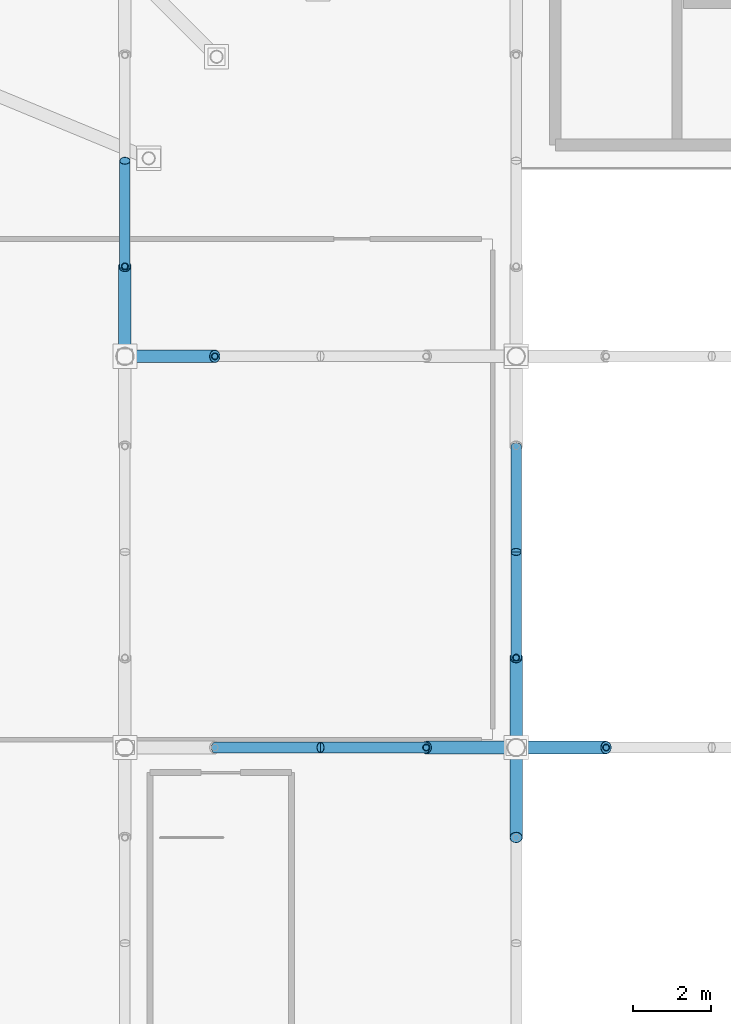
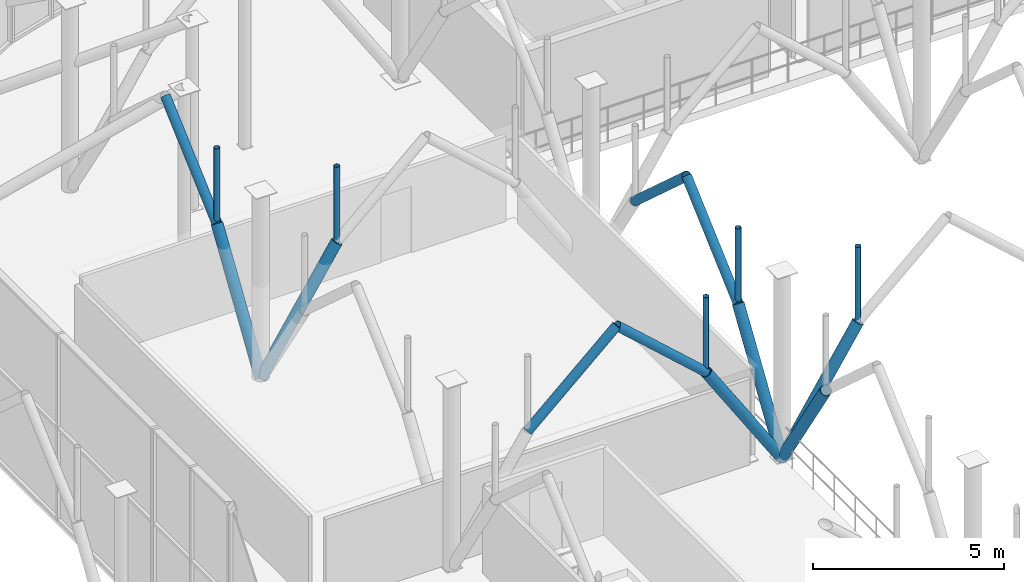
# One storey, part 46 of 109: 16 members.
"""IFC4 building model written with IfcOpenShell, lengths in metres."""

from ifc_helpers import new_model, si_unit, derived_unit, direction, frame, origin, origin_2d_with_axis, place, context, subcontext, project, spatial, hollow_circle, extrude, material, material_profile, profile_set, type_object, element, save


model = new_model("IFC4")

# Units and contexts
model_context = context("Model", 3, precision=1e-05, world=origin(), true_north=direction((0.0, 1.0)))
body_context = subcontext(model_context, "Body", "Model", "MODEL_VIEW")
ifc_project = project(units=[si_unit("LENGTHUNIT", "METRE"), si_unit("AREAUNIT", "SQUARE_METRE"), si_unit("VOLUMEUNIT", "CUBIC_METRE"), si_unit("PLANEANGLEUNIT", "RADIAN"), si_unit("MASSUNIT", "GRAM", prefix="KILO"), derived_unit("THERMALTRANSMITTANCEUNIT", [(si_unit("POWERUNIT", "WATT"), 1), (si_unit("LENGTHUNIT", "METRE"), -2), (si_unit("THERMODYNAMICTEMPERATUREUNIT", "KELVIN"), -1)])], contexts=[model_context])

# Site, building, storey
site_placement = place(None, origin())
site = spatial("IfcSite", under=ifc_project, at=site_placement, CompositionType="ELEMENT")
building_placement = place(site_placement, origin())
building = spatial("IfcBuilding", under=site, at=building_placement, Name="Cinnabar Yard Market Hall", CompositionType="ELEMENT")
storey_placement = place(building_placement, frame((0.0, 0.0, 8.39990234375)))
storey = spatial("IfcBuildingStorey", under=building, at=storey_placement, Name="L02", CompositionType="ELEMENT", Elevation=8.39990234375)

# Members
ifc_material_1 = material(Name="Spotted-gum glulam-clad steel Grade 350 (350 MPa)", Category="steel")
ifc_material_profile_1 = material_profile(ifc_material_1, hollow_circle(Radius=0.136474609375, WallThickness=0.00927734375, at=origin_2d_with_axis()), Name="273.1x9.3CHS")
ifc_profile_set_1 = profile_set([ifc_material_profile_1], Name="Spotted-gum glulam-clad steel Grade 350 (350 MPa)")
member_type_1 = type_object("IfcMemberType", Name="MB-AR01", PredefinedType="USERDEFINED", material=ifc_profile_set_1)
for number, where, z_axis, x_axis, name in (
    (1, (78.300048828125, 44.0, 3.550048828125), (0.743297488271, 0.0, 0.668961018244), (0.0, 1.0, 0.0), "Pointed Arch Rib 0006"),
    (2, (76.0, 56.300048828125, 3.550048828125), (0.0, 0.743297488271, 0.668961018244), (-1.0, 0.0, 0.0), "Pointed Arch Rib 0010"),
    (3, (83.699951171875, 44.0, 3.550048828125), (-0.743297488271, 0.0, 0.668961018244), (0.0, -1.0, 0.0), "Pointed Arch Rib 0021"),
    (4, (86.0, 46.300048828125, 3.550048828125), (0.0, 0.743297488271, 0.668961018244), (-1.0, 0.0, 0.0), "Pointed Arch Rib 0022"),
    (5, (86.0, 51.699951171875, 3.550048828125), (0.0, -0.743297488271, 0.668961018244), (1.0, 0.0, 0.0), "Pointed Arch Rib 0027"),
):
    element("IfcMember", number, at=place(storey_placement, frame(where, z_axis=z_axis, x_axis=x_axis)), inside=storey, type_object=member_type_1, Name=name, ObjectType="ARCH RIB", PredefinedType="USERDEFINED", context=body_context, shape_type="SweptSolid", body=[
        extrude(hollow_circle(Radius=0.136474609375, WallThickness=0.00927734375, at=origin_2d_with_axis()), origin(), (0.0, 0.0, 1.0), 3.63232421875),
    ])
ifc_material_profile_2 = material_profile(ifc_material_1, hollow_circle(Radius=0.161865234375, WallThickness=0.009521484375, at=origin_2d_with_axis()), Name="323.9x9.5CHS")
ifc_profile_set_2 = profile_set([ifc_material_profile_2], Name="Spotted-gum glulam-clad steel Grade 350 (350 MPa)")
member_type_2 = type_object("IfcMemberType", Name="MB-ST01", PredefinedType="STRUT", material=ifc_profile_set_2)
for number, where, z_axis, x_axis, name in (
    (6, (76.0, 54.0, 0.0), (0.543744165176, 0.0, 0.839251024925), (0.0, 1.0, 0.0), "Curved Branch Arm Lower 0009"),
    (7, (76.0, 54.0, 0.0), (0.0, 0.543744165176, 0.839251024925), (-1.0, 0.0, 0.0), "Curved Branch Arm Lower 0010"),
    (8, (86.0, 44.0, 0.0), (0.543744165176, 0.0, 0.839251024925), (0.0, 1.0, 0.0), "Curved Branch Arm Lower 0020"),
    (9, (86.0, 44.0, 0.0), (-0.543744165176, 0.0, 0.839251024925), (0.0, -1.0, 0.0), "Curved Branch Arm Lower 0021"),
    (10, (86.0, 44.0, 0.0), (0.0, 0.543744165176, 0.839251024925), (-1.0, 0.0, 0.0), "Curved Branch Arm Lower 0022"),
    (11, (86.0, 44.0, 0.0), (0.0, -0.543744165176, 0.839251024925), (1.0, 0.0, 0.0), "Curved Branch Arm Lower 0023"),
):
    element("IfcMember", number, at=place(storey_placement, frame(where, z_axis=z_axis, x_axis=x_axis)), inside=storey, type_object=member_type_2, Name=name, PredefinedType="STRUT", context=body_context, shape_type="SweptSolid", body=[
        extrude(hollow_circle(Radius=0.161865234375, WallThickness=0.009521484375, at=origin_2d_with_axis()), origin(), (0.0, 0.0, 1.0), 4.22998046875),
    ])
ifc_material_2 = material(Name="Cold-formed steel C350L0", Category="steel")
ifc_material_profile_3 = material_profile(ifc_material_2, hollow_circle(Radius=0.084228515625, WallThickness=0.00634765625, at=origin_2d_with_axis()), Name="168.3x6.4CHS")
ifc_profile_set_3 = profile_set([ifc_material_profile_3], Name="Cold-formed steel C350L0")
member_type_3 = type_object("IfcMemberType", Name="MB-WB01", PredefinedType="STRUT", material=ifc_profile_set_3)
for number, where, z_axis, x_axis, name in (
    (12, (78.300048828125, 54.0, 3.550048828125), (0.0, 0.0, 1.0), (1.0, 0.0, 0.0), "Arch Spandrel Post 0009"),
    (13, (76.0, 56.300048828125, 3.550048828125), (0.0, 0.0, 1.0), (1.0, 0.0, 0.0), "Arch Spandrel Post 0010"),
    (14, (88.300048828125, 44.0, 3.550048828125), (0.0, 0.0, 1.0), (1.0, 0.0, 0.0), "Arch Spandrel Post 0020"),
    (15, (83.699951171875, 44.0, 3.550048828125), (0.0, 0.0, 1.0), (1.0, 0.0, 0.0), "Arch Spandrel Post 0021"),
    (16, (86.0, 46.300048828125, 3.550048828125), (0.0, 0.0, 1.0), (1.0, 0.0, 0.0), "Arch Spandrel Post 0022"),
):
    element("IfcMember", number, at=place(storey_placement, frame(where, z_axis=z_axis, x_axis=x_axis)), inside=storey, type_object=member_type_3, Name=name, PredefinedType="STRUT", context=body_context, shape_type="SweptSolid", body=[
        extrude(hollow_circle(Radius=0.084228515625, WallThickness=0.00634765625, at=origin_2d_with_axis()), origin(), (0.0, 0.0, 1.0), 2.429931640625),
    ])

save(model, "model.ifc")
